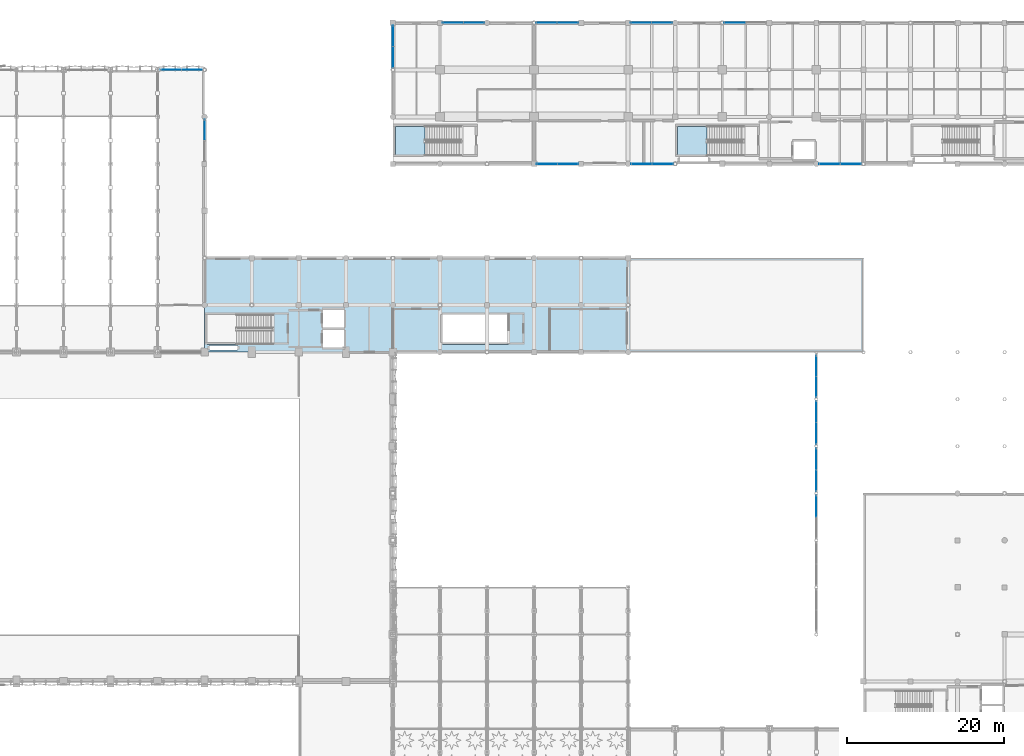
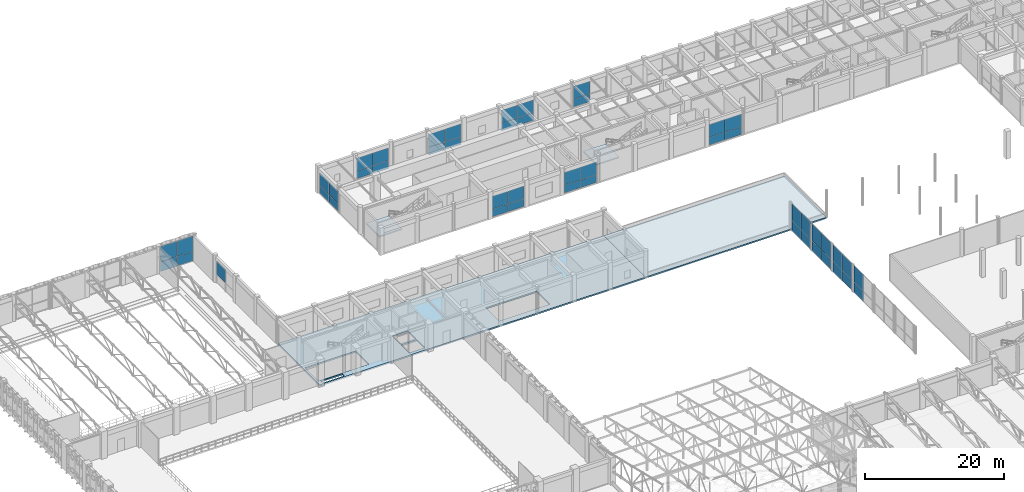
# One storey, part 88 of 123: 49 plates, 4 slabs, 16 elements without a shape of their own.
"""IFC4 building model written with IfcOpenShell, lengths in metres."""

import ifcopenshell
import ifcopenshell.guid

model = None  # the IFC model being written
_history = None  # IfcOwnerHistory: only IFC2X3 demands one
_inside = {}  # id of a spatial element -> (the spatial element, [elements in it])
_under = {}  # id of a project, library or spatial element -> (it, [spatial elements below it])
_declared = {}  # id of a project -> (the project, [libraries it declares])
_typed = {}  # id of a type object -> (the type object, [elements of that type])
_made_of = {}  # id of a material, layer set ... -> (it, [elements and type objects made of it])


def new_model(schema):
    """Start an empty IFC model of exactly this schema.

    Asked for "IFC4X3", IfcOpenShell would pick the latest addendum, in which some entities
    have other attributes; the version numbers below select the first issue.
    IFC2X3 requires an IfcOwnerHistory on every rooted entity: one is made here for all.
    """
    global model, _history
    if schema == "IFC4X3":
        model = ifcopenshell.file(schema_version=(4, 3, 0, 0))
    else:
        model = ifcopenshell.file(schema=schema)
    _inside.clear()
    _under.clear()
    _declared.clear()
    _typed.clear()
    _made_of.clear()
    _history = None
    if model.schema == "IFC2X3":
        org = make("IfcOrganization", Name="unknown")
        user = make(
            "IfcPersonAndOrganization",
            ThePerson=make("IfcPerson", FamilyName="unknown"),
            TheOrganization=org,
        )
        app = make(
            "IfcApplication",
            ApplicationDeveloper=org,
            Version="unknown",
            ApplicationFullName="unknown",
            ApplicationIdentifier="unknown",
        )
        _history = make(
            "IfcOwnerHistory",
            OwningUser=user,
            OwningApplication=app,
            ChangeAction="ADDED",
            CreationDate=0,
        )
    return model


def make(cls, **values):
    """One entity of the class cls with the attributes given. An attribute that is None is left unset."""
    return model.create_entity(
        cls, **{name: value for name, value in values.items() if value is not None}
    )


def rooted(cls, **values):
    """An entity with a GlobalId (a new one), such as an element, a storey or a relation."""
    return make(cls, GlobalId=ifcopenshell.guid.new(), OwnerHistory=_history, **values)


def si_unit(unit_type, name, prefix=None):
    """IfcSIUnit, for example si_unit("LENGTHUNIT", "METRE", prefix="MILLI")."""
    return make("IfcSIUnit", UnitType=unit_type, Prefix=prefix, Name=name)


def assignment(units):
    """IfcUnitAssignment: the units of a project."""
    return None if units is None else make("IfcUnitAssignment", Units=units)


def point(xyz):
    """IfcCartesianPoint."""
    return None if xyz is None else make("IfcCartesianPoint", Coordinates=xyz)


def direction(xyz):
    """IfcDirection."""
    return None if xyz is None else make("IfcDirection", DirectionRatios=xyz)


def frame(location, z_axis=None, x_axis=None):
    """IfcAxis2Placement3D, a coordinate frame: its origin and axes. An axis left out is left unset."""
    return make(
        "IfcAxis2Placement3D",
        Location=point(location),
        Axis=direction(z_axis),
        RefDirection=direction(x_axis),
    )


def frame_2d(location, x_axis=None):
    """IfcAxis2Placement2D, a coordinate frame in the plane: its origin and x axis."""
    return make(
        "IfcAxis2Placement2D", Location=point(location), RefDirection=direction(x_axis)
    )


def origin():
    """The frame at (0, 0, 0) with its axes left unset."""
    return frame((0.0, 0.0, 0.0))


def place(relative_to, where):
    """IfcLocalPlacement: puts the frame where relative to a parent placement (None: the world)."""
    return make(
        "IfcLocalPlacement", PlacementRelTo=relative_to, RelativePlacement=where
    )


def context(
    kind, dimensions, precision=None, world=None, true_north=None, identifier=None
):
    """IfcGeometricRepresentationContext, for example the 3D "Model" context."""
    return make(
        "IfcGeometricRepresentationContext",
        ContextIdentifier=identifier,
        ContextType=kind,
        CoordinateSpaceDimension=dimensions,
        Precision=precision,
        WorldCoordinateSystem=world,
        TrueNorth=true_north,
    )


def subcontext(parent, identifier, kind, view, scale=None):
    """IfcGeometricRepresentationSubContext, for example "Body" below "Model"."""
    return make(
        "IfcGeometricRepresentationSubContext",
        ContextIdentifier=identifier,
        ContextType=kind,
        ParentContext=parent,
        TargetScale=scale,
        TargetView=view,
    )


def project(units=None, contexts=None):
    """IfcProject with its units and contexts."""
    return rooted(
        "IfcProject",
        Name="project",
        RepresentationContexts=contexts,
        UnitsInContext=assignment(units),
    )


def spatial(cls, under=None, at=None, **own):
    """A site, building, storey or space (cls), placed at a placement, below another one or the project."""
    s = rooted(cls, ObjectPlacement=at, **own)
    if under is not None:
        _under.setdefault(under.id(), (under, []))[1].append(s)
    return s


def polyline(points):
    """IfcPolyline through the points."""
    return make("IfcPolyline", Points=[point(p) for p in points])


def profile(cls, at=None, kind="AREA", **sizes):
    """A parametric profile (cls). Its sizes go by their IFC names, for example OverallWidth=200.0."""
    return make(cls, ProfileType=kind, Position=at, **sizes)


def rectangle(**sizes):
    """IfcRectangleProfileDef."""
    return profile("IfcRectangleProfileDef", **sizes)


def outline(outer, holes=None, kind="AREA"):
    """IfcArbitraryClosedProfileDef: a profile drawn as a closed curve; with holes, ...WithVoids."""
    if holes is None:
        return make("IfcArbitraryClosedProfileDef", ProfileType=kind, OuterCurve=outer)
    return make(
        "IfcArbitraryProfileDefWithVoids",
        ProfileType=kind,
        OuterCurve=outer,
        InnerCurves=holes,
    )


def extrude(swept, where, along, depth):
    """IfcExtrudedAreaSolid: the profile swept, set in the frame where, extruded along a direction by depth."""
    return make(
        "IfcExtrudedAreaSolid",
        SweptArea=swept,
        Position=where,
        ExtrudedDirection=direction(along),
        Depth=depth,
    )


def shape(context_of_items, identifier, shape_type, items):
    """IfcShapeRepresentation: the items that make up one representation, for example the "Body"."""
    return make(
        "IfcShapeRepresentation",
        ContextOfItems=context_of_items,
        RepresentationIdentifier=identifier,
        RepresentationType=shape_type,
        Items=items,
    )


def material(Name=None, Category=None):
    """IfcMaterial."""
    return make("IfcMaterial", Name=Name, Category=Category)


def layer(
    of_material, thickness, ventilated=None, Name=None, Category=None, Priority=None
):
    """IfcMaterialLayer: one layer of a wall or slab, of a material (None: an air gap)."""
    return make(
        "IfcMaterialLayer",
        Material=of_material,
        LayerThickness=thickness,
        IsVentilated=ventilated,
        Name=Name,
        Category=Category,
        Priority=Priority,
    )


def layer_set(layers, Name=None):
    """IfcMaterialLayerSet."""
    return make("IfcMaterialLayerSet", MaterialLayers=layers, LayerSetName=Name)


def made_of(thing, what):
    """Note that an element or type object is made of a material, layer set ...; save() writes the relation."""
    if what is not None:
        _made_of.setdefault(what.id(), (what, []))[1].append(thing)
    return thing


def type_object(cls, material=None, **own):
    """A type object (cls), such as IfcWallType, which elements share."""
    return made_of(rooted(cls, **own), material)


def element(
    cls,
    number,
    at=None,
    inside=None,
    cuts=None,
    type_object=None,
    material=None,
    context=None,
    identifier="Body",
    shape_type=None,
    held_by="IfcProductDefinitionShape",
    body=None,
    shapes=None,
    **own,
):
    """One element of the class cls, such as IfcWall. Its Tag is "e" and its number.

    at: its placement. inside: the storey or other place that contains it. cuts: it is an
    opening in that element (IfcRelVoidsElement). A single representation is given by context,
    identifier, shape_type and body (its items); several are given by shapes. held_by: the class
    of the entity that holds the representations. save() writes the other relations.
    """
    e = rooted(cls, Tag="e%d" % number, ObjectPlacement=at, **own)
    if body is not None:
        shapes = [shape(context, identifier, shape_type, body)]
    if shapes is not None:
        e.Representation = make(held_by, Representations=shapes)
    if inside is not None:
        _inside.setdefault(inside.id(), (inside, []))[1].append(e)
    if cuts is not None:
        rooted(
            "IfcRelVoidsElement", RelatingBuildingElement=cuts, RelatedOpeningElement=e
        )
    if type_object is not None:
        _typed.setdefault(type_object.id(), (type_object, []))[1].append(e)
    return made_of(e, material)


def aggregate(whole, parts):
    """IfcRelAggregates: a whole, such as a stair, and the parts it consists of."""
    return rooted("IfcRelAggregates", RelatingObject=whole, RelatedObjects=parts)


def save(model, path):
    """Write the relations noted so far, then the file.

    IfcRelAggregates (storeys below a building ...), IfcRelContainedInSpatialStructure (elements
    in a storey), IfcRelDefinesByType, IfcRelAssociatesMaterial and IfcRelDeclares: one each for
    every whole, place, type object, material and project.
    """
    for whole, parts in _under.values():
        aggregate(whole, parts)
    for where, things in _inside.values():
        rooted(
            "IfcRelContainedInSpatialStructure",
            RelatedElements=things,
            RelatingStructure=where,
        )
    for kind, things in _typed.values():
        rooted("IfcRelDefinesByType", RelatedObjects=things, RelatingType=kind)
    for what, things in _made_of.values():
        rooted("IfcRelAssociatesMaterial", RelatedObjects=things, RelatingMaterial=what)
    for by, libraries in _declared.values():
        rooted("IfcRelDeclares", RelatingContext=by, RelatedDefinitions=libraries)
    model.write(path)


model = new_model("IFC4")

# Units and contexts
model_context = context("Model", 3, precision=1e-05, world=origin(), true_north=direction((0.0, 1.0)))
body_context = subcontext(model_context, "Body", "Model", "MODEL_VIEW")
ifc_project = project(units=[si_unit("LENGTHUNIT", "METRE"), si_unit("AREAUNIT", "SQUARE_METRE"), si_unit("VOLUMEUNIT", "CUBIC_METRE"), si_unit("PLANEANGLEUNIT", "RADIAN"), si_unit("MASSUNIT", "GRAM", prefix="KILO"), si_unit("THERMODYNAMICTEMPERATUREUNIT", "KELVIN"), si_unit("POWERUNIT", "WATT")], contexts=[model_context])

# Site, building, storey
site_placement = place(None, origin())
site = spatial("IfcSite", under=ifc_project, at=site_placement, CompositionType="ELEMENT")
building_placement = place(site_placement, origin())
building = spatial("IfcBuilding", under=site, at=building_placement, Name="Phaisarnlok Congress Hotel", CompositionType="ELEMENT")
storey_placement = place(building_placement, frame((0.0, 0.0, 15.0)))
storey = spatial("IfcBuildingStorey", under=building, at=storey_placement, Name="L03", CompositionType="ELEMENT", Elevation=15.0)

# Curtain wall, plate
ifc_material_1 = material(Name="Thermally Broken Unitised Aluminium & Low-E Glazing", Category="aluminium")
curtain_wall_type_1 = type_object("IfcCurtainWallType", Name="CW-UNIT-27", PredefinedType="NOTDEFINED", material=ifc_material_1)
curtain_wall_1_placement = place(storey_placement, origin())
curtain_wall_1 = element("IfcCurtainWall", 1, at=curtain_wall_1_placement, inside=storey, type_object=curtain_wall_type_1, Name="Unitised curtain wall CW-27 (L03)", PredefinedType="NOTDEFINED")
ifc_material_2 = material(Name="Double Low-E Insulated Glazing", Category="glass")
ifc_layer_1 = layer(ifc_material_2, 0.028076171875, Name="Double Low-E Insulated Glazing")
ifc_layer_set_1 = layer_set([ifc_layer_1], Name="Double Low-E Insulated Glazing")
plate_type_1 = type_object("IfcPlateType", Name="CWP-GLZ-28", PredefinedType="CURTAIN_PANEL", material=ifc_layer_set_1)
plate_1_placement = place(storey_placement, frame((42.0, 111.00244140625, 1.461181640625), z_axis=(0.0, 0.0, 1.0), x_axis=(0.0, 1.0, 0.0)))
plate_1 = element("IfcPlate", 2, at=plate_1_placement, type_object=plate_type_1, Name="Glazed curtain panel CWP-01", PredefinedType="CURTAIN_PANEL", context=body_context, shape_type="SweptSolid", body=[
    extrude(rectangle(XDim=2.62255859375, YDim=0.028076171875, at=frame_2d((1.311279296875, 0.0))), origin(), (0.0, 0.0, 1.0), 2.34375),
])
aggregate(curtain_wall_1, [plate_1])

# Curtain wall, plates
curtain_wall_type_2 = type_object("IfcCurtainWallType", Name="CW-UNIT-28", PredefinedType="NOTDEFINED", material=ifc_material_1)
curtain_wall_2_placement = place(storey_placement, origin())
curtain_wall_2 = element("IfcCurtainWall", 3, at=curtain_wall_2_placement, inside=storey, type_object=curtain_wall_type_2, Name="Unitised curtain wall CW-28 (L03)", PredefinedType="NOTDEFINED")
plate_2_placement = place(storey_placement, frame((41.720947265625, 120.0, 0.0400390625), z_axis=(0.0, 0.0, 1.0), x_axis=(-1.0, 0.0, 0.0)))
plate_2 = element("IfcPlate", 4, at=plate_2_placement, type_object=plate_type_1, Name="Glazed curtain panel CWP-01", PredefinedType="CURTAIN_PANEL", context=body_context, shape_type="SweptSolid", body=[
    extrude(rectangle(XDim=2.657958984375, YDim=0.028076171875, at=frame_2d((1.3291015625, 0.0))), origin(), (0.0, 0.0, 1.0), 1.65087890625),
])
plate_3_placement = place(storey_placement, frame((41.720947265625, 120.0, 1.69091796875), z_axis=(0.0, 0.0, 1.0), x_axis=(-1.0, 0.0, 0.0)))
plate_3 = element("IfcPlate", 5, at=plate_3_placement, type_object=plate_type_1, Name="Glazed curtain panel CWP-01", PredefinedType="CURTAIN_PANEL", context=body_context, shape_type="SweptSolid", body=[
    extrude(rectangle(XDim=2.657958984375, YDim=0.028076171875, at=frame_2d((1.3291015625, 0.0))), origin(), (0.0, 0.0, 1.0), 2.718994140625),
])
plate_4_placement = place(storey_placement, frame((39.032958984375, 120.0, 0.0400390625), z_axis=(0.0, 0.0, 1.0), x_axis=(-1.0, 0.0, 0.0)))
plate_4 = element("IfcPlate", 6, at=plate_4_placement, type_object=plate_type_1, Name="Glazed curtain panel CWP-01", PredefinedType="CURTAIN_PANEL", context=body_context, shape_type="SweptSolid", body=[
    extrude(rectangle(XDim=2.657958984375, YDim=0.028076171875, at=frame_2d((1.3291015625, 0.0))), origin(), (0.0, 0.0, 1.0), 1.65087890625),
])
plate_5_placement = place(storey_placement, frame((39.032958984375, 120.0, 1.69091796875), z_axis=(0.0, 0.0, 1.0), x_axis=(-1.0, 0.0, 0.0)))
plate_5 = element("IfcPlate", 7, at=plate_5_placement, type_object=plate_type_1, Name="Glazed curtain panel CWP-01", PredefinedType="CURTAIN_PANEL", context=body_context, shape_type="SweptSolid", body=[
    extrude(rectangle(XDim=2.657958984375, YDim=0.028076171875, at=frame_2d((1.3291015625, 0.0))), origin(), (0.0, 0.0, 1.0), 2.718994140625),
])
aggregate(curtain_wall_2, [plate_2, plate_3, plate_4, plate_5])

curtain_wall_type_3 = type_object("IfcCurtainWallType", Name="CW-UNIT-30", PredefinedType="NOTDEFINED", material=ifc_material_1)
curtain_wall_3_placement = place(storey_placement, origin())
curtain_wall_3 = element("IfcCurtainWall", 8, at=curtain_wall_3_placement, inside=storey, type_object=curtain_wall_type_3, Name="Unitised curtain wall CW-30 (L03)", PredefinedType="NOTDEFINED")
plate_6_placement = place(storey_placement, frame((84.375, 108.0, 0.0400390625), z_axis=(0.0, 0.0, 1.0), x_axis=(1.0, 0.0, 0.0)))
plate_6 = element("IfcPlate", 9, at=plate_6_placement, type_object=plate_type_1, Name="Glazed curtain panel CWP-01", PredefinedType="CURTAIN_PANEL", context=body_context, shape_type="SweptSolid", body=[
    extrude(rectangle(XDim=2.62255859375, YDim=0.028076171875, at=frame_2d((1.311279296875, 0.0))), origin(), (0.0, 0.0, 1.0), 1.365966796875),
])
plate_7_placement = place(storey_placement, frame((84.375, 108.0, 1.406005859375), z_axis=(0.0, 0.0, 1.0), x_axis=(1.0, 0.0, 0.0)))
plate_7 = element("IfcPlate", 10, at=plate_7_placement, type_object=plate_type_1, Name="Glazed curtain panel CWP-01", PredefinedType="CURTAIN_PANEL", context=body_context, shape_type="SweptSolid", body=[
    extrude(rectangle(XDim=2.62255859375, YDim=0.028076171875, at=frame_2d((1.311279296875, 0.0))), origin(), (0.0, 0.0, 1.0), 2.25390625),
])
plate_8_placement = place(storey_placement, frame((87.027587890625, 108.0, 0.0400390625), z_axis=(0.0, 0.0, 1.0), x_axis=(1.0, 0.0, 0.0)))
plate_8 = element("IfcPlate", 11, at=plate_8_placement, type_object=plate_type_1, Name="Glazed curtain panel CWP-01", PredefinedType="CURTAIN_PANEL", context=body_context, shape_type="SweptSolid", body=[
    extrude(rectangle(XDim=2.622314453125, YDim=0.028076171875, at=frame_2d((1.31103515625, 0.0))), origin(), (0.0, 0.0, 1.0), 1.365966796875),
])
plate_9_placement = place(storey_placement, frame((87.027587890625, 108.0, 1.406005859375), z_axis=(0.0, 0.0, 1.0), x_axis=(1.0, 0.0, 0.0)))
plate_9 = element("IfcPlate", 12, at=plate_9_placement, type_object=plate_type_1, Name="Glazed curtain panel CWP-01", PredefinedType="CURTAIN_PANEL", context=body_context, shape_type="SweptSolid", body=[
    extrude(rectangle(XDim=2.622314453125, YDim=0.028076171875, at=frame_2d((1.31103515625, 0.0))), origin(), (0.0, 0.0, 1.0), 2.25390625),
])
aggregate(curtain_wall_3, [plate_6, plate_7, plate_8, plate_9])

curtain_wall_type_4 = type_object("IfcCurtainWallType", Name="CW-UNIT-31", PredefinedType="NOTDEFINED", material=ifc_material_1)
curtain_wall_4_placement = place(storey_placement, origin())
curtain_wall_4 = element("IfcCurtainWall", 13, at=curtain_wall_4_placement, inside=storey, type_object=curtain_wall_type_4, Name="Unitised curtain wall CW-31 (L03)", PredefinedType="NOTDEFINED")
plate_10_placement = place(storey_placement, frame((96.375, 108.0, 0.0400390625), z_axis=(0.0, 0.0, 1.0), x_axis=(1.0, 0.0, 0.0)))
plate_10 = element("IfcPlate", 14, at=plate_10_placement, type_object=plate_type_1, Name="Glazed curtain panel CWP-01", PredefinedType="CURTAIN_PANEL", context=body_context, shape_type="SweptSolid", body=[
    extrude(rectangle(XDim=2.657958984375, YDim=0.028076171875, at=frame_2d((1.3291015625, 0.0))), origin(), (0.0, 0.0, 1.0), 1.365966796875),
])
plate_11_placement = place(storey_placement, frame((96.375, 108.0, 1.406005859375), z_axis=(0.0, 0.0, 1.0), x_axis=(1.0, 0.0, 0.0)))
plate_11 = element("IfcPlate", 15, at=plate_11_placement, type_object=plate_type_1, Name="Glazed curtain panel CWP-01", PredefinedType="CURTAIN_PANEL", context=body_context, shape_type="SweptSolid", body=[
    extrude(rectangle(XDim=2.657958984375, YDim=0.028076171875, at=frame_2d((1.3291015625, 0.0))), origin(), (0.0, 0.0, 1.0), 2.25390625),
])
plate_12_placement = place(storey_placement, frame((99.06298828125, 108.0, 0.0400390625), z_axis=(0.0, 0.0, 1.0), x_axis=(1.0, 0.0, 0.0)))
plate_12 = element("IfcPlate", 16, at=plate_12_placement, type_object=plate_type_1, Name="Glazed curtain panel CWP-01", PredefinedType="CURTAIN_PANEL", context=body_context, shape_type="SweptSolid", body=[
    extrude(rectangle(XDim=2.657958984375, YDim=0.028076171875, at=frame_2d((1.3291015625, 0.0))), origin(), (0.0, 0.0, 1.0), 1.365966796875),
])
plate_13_placement = place(storey_placement, frame((99.06298828125, 108.0, 1.406005859375), z_axis=(0.0, 0.0, 1.0), x_axis=(1.0, 0.0, 0.0)))
plate_13 = element("IfcPlate", 17, at=plate_13_placement, type_object=plate_type_1, Name="Glazed curtain panel CWP-01", PredefinedType="CURTAIN_PANEL", context=body_context, shape_type="SweptSolid", body=[
    extrude(rectangle(XDim=2.657958984375, YDim=0.028076171875, at=frame_2d((1.3291015625, 0.0))), origin(), (0.0, 0.0, 1.0), 2.25390625),
])
aggregate(curtain_wall_4, [plate_10, plate_11, plate_12, plate_13])

curtain_wall_5_placement = place(storey_placement, origin())
curtain_wall_5 = element("IfcCurtainWall", 18, at=curtain_wall_5_placement, inside=storey, type_object=curtain_wall_type_4, Name="Unitised curtain wall CW-31 (L03)", PredefinedType="NOTDEFINED")
plate_14_placement = place(storey_placement, frame((120.375, 108.0, 0.0400390625), z_axis=(0.0, 0.0, 1.0), x_axis=(1.0, 0.0, 0.0)))
plate_14 = element("IfcPlate", 19, at=plate_14_placement, type_object=plate_type_1, Name="Glazed curtain panel CWP-01", PredefinedType="CURTAIN_PANEL", context=body_context, shape_type="SweptSolid", body=[
    extrude(rectangle(XDim=2.657958984375, YDim=0.028076171875, at=frame_2d((1.3291015625, 0.0))), origin(), (0.0, 0.0, 1.0), 1.365966796875),
])
plate_15_placement = place(storey_placement, frame((120.375, 108.0, 1.406005859375), z_axis=(0.0, 0.0, 1.0), x_axis=(1.0, 0.0, 0.0)))
plate_15 = element("IfcPlate", 20, at=plate_15_placement, type_object=plate_type_1, Name="Glazed curtain panel CWP-01", PredefinedType="CURTAIN_PANEL", context=body_context, shape_type="SweptSolid", body=[
    extrude(rectangle(XDim=2.657958984375, YDim=0.028076171875, at=frame_2d((1.3291015625, 0.0))), origin(), (0.0, 0.0, 1.0), 2.25390625),
])
plate_16_placement = place(storey_placement, frame((123.06298828125, 108.0, 0.0400390625), z_axis=(0.0, 0.0, 1.0), x_axis=(1.0, 0.0, 0.0)))
plate_16 = element("IfcPlate", 21, at=plate_16_placement, type_object=plate_type_1, Name="Glazed curtain panel CWP-01", PredefinedType="CURTAIN_PANEL", context=body_context, shape_type="SweptSolid", body=[
    extrude(rectangle(XDim=2.657958984375, YDim=0.028076171875, at=frame_2d((1.3291015625, 0.0))), origin(), (0.0, 0.0, 1.0), 1.365966796875),
])
plate_17_placement = place(storey_placement, frame((123.06298828125, 108.0, 1.406005859375), z_axis=(0.0, 0.0, 1.0), x_axis=(1.0, 0.0, 0.0)))
plate_17 = element("IfcPlate", 22, at=plate_17_placement, type_object=plate_type_1, Name="Glazed curtain panel CWP-01", PredefinedType="CURTAIN_PANEL", context=body_context, shape_type="SweptSolid", body=[
    extrude(rectangle(XDim=2.657958984375, YDim=0.028076171875, at=frame_2d((1.3291015625, 0.0))), origin(), (0.0, 0.0, 1.0), 2.25390625),
])
aggregate(curtain_wall_5, [plate_14, plate_15, plate_16, plate_17])

curtain_wall_6_placement = place(storey_placement, origin())
curtain_wall_6 = element("IfcCurtainWall", 23, at=curtain_wall_6_placement, inside=storey, type_object=curtain_wall_type_4, Name="Unitised curtain wall CW-31 (L03)", PredefinedType="NOTDEFINED")
plate_18_placement = place(storey_placement, frame((110.93701171875, 126.0, 0.0400390625), z_axis=(0.0, 0.0, 1.0), x_axis=(-1.0, 0.0, 0.0)))
plate_18 = element("IfcPlate", 24, at=plate_18_placement, type_object=plate_type_1, Name="Glazed curtain panel CWP-01", PredefinedType="CURTAIN_PANEL", context=body_context, shape_type="SweptSolid", body=[
    extrude(rectangle(XDim=2.657958984375, YDim=0.028076171875, at=frame_2d((1.3291015625, 0.0))), origin(), (0.0, 0.0, 1.0), 1.365966796875),
])
plate_19_placement = place(storey_placement, frame((110.93701171875, 126.0, 1.406005859375), z_axis=(0.0, 0.0, 1.0), x_axis=(-1.0, 0.0, 0.0)))
plate_19 = element("IfcPlate", 25, at=plate_19_placement, type_object=plate_type_1, Name="Glazed curtain panel CWP-01", PredefinedType="CURTAIN_PANEL", context=body_context, shape_type="SweptSolid", body=[
    extrude(rectangle(XDim=2.657958984375, YDim=0.028076171875, at=frame_2d((1.3291015625, 0.0))), origin(), (0.0, 0.0, 1.0), 2.25390625),
])
aggregate(curtain_wall_6, [plate_18, plate_19])

curtain_wall_7_placement = place(storey_placement, origin())
curtain_wall_7 = element("IfcCurtainWall", 26, at=curtain_wall_7_placement, inside=storey, type_object=curtain_wall_type_3, Name="Unitised curtain wall CW-30 (L03)", PredefinedType="NOTDEFINED")
plate_20_placement = place(storey_placement, frame((101.625, 126.0, 0.0400390625), z_axis=(0.0, 0.0, 1.0), x_axis=(-1.0, 0.0, 0.0)))
plate_20 = element("IfcPlate", 27, at=plate_20_placement, type_object=plate_type_1, Name="Glazed curtain panel CWP-01", PredefinedType="CURTAIN_PANEL", context=body_context, shape_type="SweptSolid", body=[
    extrude(rectangle(XDim=2.62255859375, YDim=0.028076171875, at=frame_2d((1.311279296875, 0.0))), origin(), (0.0, 0.0, 1.0), 1.365966796875),
])
plate_21_placement = place(storey_placement, frame((101.625, 126.0, 1.406005859375), z_axis=(0.0, 0.0, 1.0), x_axis=(-1.0, 0.0, 0.0)))
plate_21 = element("IfcPlate", 28, at=plate_21_placement, type_object=plate_type_1, Name="Glazed curtain panel CWP-01", PredefinedType="CURTAIN_PANEL", context=body_context, shape_type="SweptSolid", body=[
    extrude(rectangle(XDim=2.62255859375, YDim=0.028076171875, at=frame_2d((1.311279296875, 0.0))), origin(), (0.0, 0.0, 1.0), 2.25390625),
])
plate_22_placement = place(storey_placement, frame((98.972412109375, 126.0, 0.0400390625), z_axis=(0.0, 0.0, 1.0), x_axis=(-1.0, 0.0, 0.0)))
plate_22 = element("IfcPlate", 29, at=plate_22_placement, type_object=plate_type_1, Name="Glazed curtain panel CWP-01", PredefinedType="CURTAIN_PANEL", context=body_context, shape_type="SweptSolid", body=[
    extrude(rectangle(XDim=2.622314453125, YDim=0.028076171875, at=frame_2d((1.31103515625, 0.0))), origin(), (0.0, 0.0, 1.0), 1.365966796875),
])
plate_23_placement = place(storey_placement, frame((98.972412109375, 126.0, 1.406005859375), z_axis=(0.0, 0.0, 1.0), x_axis=(-1.0, 0.0, 0.0)))
plate_23 = element("IfcPlate", 30, at=plate_23_placement, type_object=plate_type_1, Name="Glazed curtain panel CWP-01", PredefinedType="CURTAIN_PANEL", context=body_context, shape_type="SweptSolid", body=[
    extrude(rectangle(XDim=2.622314453125, YDim=0.028076171875, at=frame_2d((1.31103515625, 0.0))), origin(), (0.0, 0.0, 1.0), 2.25390625),
])
aggregate(curtain_wall_7, [plate_20, plate_21, plate_22, plate_23])

curtain_wall_8_placement = place(storey_placement, origin())
curtain_wall_8 = element("IfcCurtainWall", 31, at=curtain_wall_8_placement, inside=storey, type_object=curtain_wall_type_4, Name="Unitised curtain wall CW-31 (L03)", PredefinedType="NOTDEFINED")
plate_24_placement = place(storey_placement, frame((89.625, 126.0, 0.0400390625), z_axis=(0.0, 0.0, 1.0), x_axis=(-1.0, 0.0, 0.0)))
plate_24 = element("IfcPlate", 32, at=plate_24_placement, type_object=plate_type_1, Name="Glazed curtain panel CWP-01", PredefinedType="CURTAIN_PANEL", context=body_context, shape_type="SweptSolid", body=[
    extrude(rectangle(XDim=2.657958984375, YDim=0.028076171875, at=frame_2d((1.3291015625, 0.0))), origin(), (0.0, 0.0, 1.0), 1.365966796875),
])
plate_25_placement = place(storey_placement, frame((89.625, 126.0, 1.406005859375), z_axis=(0.0, 0.0, 1.0), x_axis=(-1.0, 0.0, 0.0)))
plate_25 = element("IfcPlate", 33, at=plate_25_placement, type_object=plate_type_1, Name="Glazed curtain panel CWP-01", PredefinedType="CURTAIN_PANEL", context=body_context, shape_type="SweptSolid", body=[
    extrude(rectangle(XDim=2.657958984375, YDim=0.028076171875, at=frame_2d((1.3291015625, 0.0))), origin(), (0.0, 0.0, 1.0), 2.25390625),
])
plate_26_placement = place(storey_placement, frame((86.93701171875, 126.0, 0.0400390625), z_axis=(0.0, 0.0, 1.0), x_axis=(-1.0, 0.0, 0.0)))
plate_26 = element("IfcPlate", 34, at=plate_26_placement, type_object=plate_type_1, Name="Glazed curtain panel CWP-01", PredefinedType="CURTAIN_PANEL", context=body_context, shape_type="SweptSolid", body=[
    extrude(rectangle(XDim=2.657958984375, YDim=0.028076171875, at=frame_2d((1.3291015625, 0.0))), origin(), (0.0, 0.0, 1.0), 1.365966796875),
])
plate_27_placement = place(storey_placement, frame((86.93701171875, 126.0, 1.406005859375), z_axis=(0.0, 0.0, 1.0), x_axis=(-1.0, 0.0, 0.0)))
plate_27 = element("IfcPlate", 35, at=plate_27_placement, type_object=plate_type_1, Name="Glazed curtain panel CWP-01", PredefinedType="CURTAIN_PANEL", context=body_context, shape_type="SweptSolid", body=[
    extrude(rectangle(XDim=2.657958984375, YDim=0.028076171875, at=frame_2d((1.3291015625, 0.0))), origin(), (0.0, 0.0, 1.0), 2.25390625),
])
aggregate(curtain_wall_8, [plate_24, plate_25, plate_26, plate_27])

curtain_wall_9_placement = place(storey_placement, origin())
curtain_wall_9 = element("IfcCurtainWall", 36, at=curtain_wall_9_placement, inside=storey, type_object=curtain_wall_type_3, Name="Unitised curtain wall CW-30 (L03)", PredefinedType="NOTDEFINED")
plate_28_placement = place(storey_placement, frame((77.625, 126.0, 0.0400390625), z_axis=(0.0, 0.0, 1.0), x_axis=(-1.0, 0.0, 0.0)))
plate_28 = element("IfcPlate", 37, at=plate_28_placement, type_object=plate_type_1, Name="Glazed curtain panel CWP-01", PredefinedType="CURTAIN_PANEL", context=body_context, shape_type="SweptSolid", body=[
    extrude(rectangle(XDim=2.62255859375, YDim=0.028076171875, at=frame_2d((1.311279296875, 0.0))), origin(), (0.0, 0.0, 1.0), 1.365966796875),
])
plate_29_placement = place(storey_placement, frame((77.625, 126.0, 1.406005859375), z_axis=(0.0, 0.0, 1.0), x_axis=(-1.0, 0.0, 0.0)))
plate_29 = element("IfcPlate", 38, at=plate_29_placement, type_object=plate_type_1, Name="Glazed curtain panel CWP-01", PredefinedType="CURTAIN_PANEL", context=body_context, shape_type="SweptSolid", body=[
    extrude(rectangle(XDim=2.62255859375, YDim=0.028076171875, at=frame_2d((1.311279296875, 0.0))), origin(), (0.0, 0.0, 1.0), 2.25390625),
])
plate_30_placement = place(storey_placement, frame((74.972412109375, 126.0, 0.0400390625), z_axis=(0.0, 0.0, 1.0), x_axis=(-1.0, 0.0, 0.0)))
plate_30 = element("IfcPlate", 39, at=plate_30_placement, type_object=plate_type_1, Name="Glazed curtain panel CWP-01", PredefinedType="CURTAIN_PANEL", context=body_context, shape_type="SweptSolid", body=[
    extrude(rectangle(XDim=2.622314453125, YDim=0.028076171875, at=frame_2d((1.31103515625, 0.0))), origin(), (0.0, 0.0, 1.0), 1.365966796875),
])
plate_31_placement = place(storey_placement, frame((74.972412109375, 126.0, 1.406005859375), z_axis=(0.0, 0.0, 1.0), x_axis=(-1.0, 0.0, 0.0)))
plate_31 = element("IfcPlate", 40, at=plate_31_placement, type_object=plate_type_1, Name="Glazed curtain panel CWP-01", PredefinedType="CURTAIN_PANEL", context=body_context, shape_type="SweptSolid", body=[
    extrude(rectangle(XDim=2.622314453125, YDim=0.028076171875, at=frame_2d((1.31103515625, 0.0))), origin(), (0.0, 0.0, 1.0), 2.25390625),
])
aggregate(curtain_wall_9, [plate_28, plate_29, plate_30, plate_31])

curtain_wall_type_5 = type_object("IfcCurtainWallType", Name="CW-UNIT-32", PredefinedType="NOTDEFINED", material=ifc_material_1)
curtain_wall_10_placement = place(storey_placement, origin())
curtain_wall_10 = element("IfcCurtainWall", 41, at=curtain_wall_10_placement, inside=storey, type_object=curtain_wall_type_5, Name="Unitised curtain wall CW-32 (L03)", PredefinedType="NOTDEFINED")
plate_32_placement = place(storey_placement, frame((66.0, 125.625, 0.0400390625), z_axis=(0.0, 0.0, 1.0), x_axis=(0.0, -1.0, 0.0)))
plate_32 = element("IfcPlate", 42, at=plate_32_placement, type_object=plate_type_1, Name="Glazed curtain panel CWP-01", PredefinedType="CURTAIN_PANEL", context=body_context, shape_type="SweptSolid", body=[
    extrude(rectangle(XDim=2.657958984375, YDim=0.028076171875, at=frame_2d((1.3291015625, 0.0))), origin(), (0.0, 0.0, 1.0), 1.346923828125),
])
plate_33_placement = place(storey_placement, frame((66.0, 125.625, 1.386962890625), z_axis=(0.0, 0.0, 1.0), x_axis=(0.0, -1.0, 0.0)))
plate_33 = element("IfcPlate", 43, at=plate_33_placement, type_object=plate_type_1, Name="Glazed curtain panel CWP-01", PredefinedType="CURTAIN_PANEL", context=body_context, shape_type="SweptSolid", body=[
    extrude(rectangle(XDim=2.657958984375, YDim=0.028076171875, at=frame_2d((1.3291015625, 0.0))), origin(), (0.0, 0.0, 1.0), 2.22314453125),
])
plate_34_placement = place(storey_placement, frame((66.0, 122.93701171875, 0.0400390625), z_axis=(0.0, 0.0, 1.0), x_axis=(0.0, -1.0, 0.0)))
plate_34 = element("IfcPlate", 44, at=plate_34_placement, type_object=plate_type_1, Name="Glazed curtain panel CWP-01", PredefinedType="CURTAIN_PANEL", context=body_context, shape_type="SweptSolid", body=[
    extrude(rectangle(XDim=2.657958984375, YDim=0.028076171875, at=frame_2d((1.3291015625, 0.0))), origin(), (0.0, 0.0, 1.0), 1.346923828125),
])
plate_35_placement = place(storey_placement, frame((66.0, 122.93701171875, 1.386962890625), z_axis=(0.0, 0.0, 1.0), x_axis=(0.0, -1.0, 0.0)))
plate_35 = element("IfcPlate", 45, at=plate_35_placement, type_object=plate_type_1, Name="Glazed curtain panel CWP-01", PredefinedType="CURTAIN_PANEL", context=body_context, shape_type="SweptSolid", body=[
    extrude(rectangle(XDim=2.657958984375, YDim=0.028076171875, at=frame_2d((1.3291015625, 0.0))), origin(), (0.0, 0.0, 1.0), 2.22314453125),
])
aggregate(curtain_wall_10, [plate_32, plate_33, plate_34, plate_35])

curtain_wall_type_6 = type_object("IfcCurtainWallType", Name="CW-UNIT-47", PredefinedType="NOTDEFINED", material=ifc_material_1)
curtain_wall_11_placement = place(storey_placement, origin())
curtain_wall_11 = element("IfcCurtainWall", 46, at=curtain_wall_11_placement, inside=storey, type_object=curtain_wall_type_6, Name="Unitised curtain wall CW-47 (L03)", PredefinedType="NOTDEFINED")
ifc_material_3 = material(Name="Triple Acoustic Solar-Control Glazing", Category="glass")
ifc_layer_2 = layer(ifc_material_3, 0.035888671875, Name="Triple Acoustic Solar-Control Glazing")
ifc_layer_set_2 = layer_set([ifc_layer_2], Name="Triple Acoustic Solar-Control Glazing")
plate_type_2 = type_object("IfcPlateType", Name="CWP-GLZ-36", PredefinedType="CURTAIN_PANEL", material=ifc_layer_set_2)
plate_36_placement = place(storey_placement, frame((120.0, 65.739990234375, 0.030029296875), z_axis=(0.0, 0.0, 1.0), x_axis=(0.0, -1.0, 0.0)))
plate_36 = element("IfcPlate", 47, at=plate_36_placement, type_object=plate_type_2, Name="Glazed curtain panel CWP-02", PredefinedType="CURTAIN_PANEL", context=body_context, shape_type="SweptSolid", body=[
    extrude(rectangle(XDim=2.72509765625, YDim=0.028076171875, at=frame_2d((1.362548828125, 0.0))), origin(), (0.0, 0.0, 1.0), 1.79150390625),
])
plate_37_placement = place(storey_placement, frame((120.0, 65.739990234375, 1.821533203125), z_axis=(0.0, 0.0, 1.0), x_axis=(0.0, -1.0, 0.0)))
plate_37 = element("IfcPlate", 48, at=plate_37_placement, type_object=plate_type_2, Name="Glazed curtain panel CWP-02", PredefinedType="CURTAIN_PANEL", context=body_context, shape_type="SweptSolid", body=[
    extrude(rectangle(XDim=2.72509765625, YDim=0.028076171875, at=frame_2d((1.362548828125, 0.0))), origin(), (0.0, 0.0, 1.0), 2.948486328125),
])
aggregate(curtain_wall_11, [plate_36, plate_37])

curtain_wall_12_placement = place(storey_placement, origin())
curtain_wall_12 = element("IfcCurtainWall", 49, at=curtain_wall_12_placement, inside=storey, type_object=curtain_wall_type_6, Name="Unitised curtain wall CW-47 (L03)", PredefinedType="NOTDEFINED")
plate_38_placement = place(storey_placement, frame((120.0, 71.739990234375, 0.030029296875), z_axis=(0.0, 0.0, 1.0), x_axis=(0.0, -1.0, 0.0)))
plate_38 = element("IfcPlate", 50, at=plate_38_placement, type_object=plate_type_2, Name="Glazed curtain panel CWP-02", PredefinedType="CURTAIN_PANEL", context=body_context, shape_type="SweptSolid", body=[
    extrude(rectangle(XDim=2.72509765625, YDim=0.028076171875, at=frame_2d((1.362548828125, 0.0))), origin(), (0.0, 0.0, 1.0), 1.79150390625),
])
plate_39_placement = place(storey_placement, frame((120.0, 71.739990234375, 1.821533203125), z_axis=(0.0, 0.0, 1.0), x_axis=(0.0, -1.0, 0.0)))
plate_39 = element("IfcPlate", 51, at=plate_39_placement, type_object=plate_type_2, Name="Glazed curtain panel CWP-02", PredefinedType="CURTAIN_PANEL", context=body_context, shape_type="SweptSolid", body=[
    extrude(rectangle(XDim=2.72509765625, YDim=0.028076171875, at=frame_2d((1.362548828125, 0.0))), origin(), (0.0, 0.0, 1.0), 2.948486328125),
])
plate_40_placement = place(storey_placement, frame((120.0, 68.985107421875, 0.030029296875), z_axis=(0.0, 0.0, 1.0), x_axis=(0.0, -1.0, 0.0)))
plate_40 = element("IfcPlate", 52, at=plate_40_placement, type_object=plate_type_2, Name="Glazed curtain panel CWP-02", PredefinedType="CURTAIN_PANEL", context=body_context, shape_type="SweptSolid", body=[
    extrude(rectangle(XDim=2.72509765625, YDim=0.028076171875, at=frame_2d((1.362548828125, 0.0))), origin(), (0.0, 0.0, 1.0), 1.79150390625),
])
plate_41_placement = place(storey_placement, frame((120.0, 68.985107421875, 1.821533203125), z_axis=(0.0, 0.0, 1.0), x_axis=(0.0, -1.0, 0.0)))
plate_41 = element("IfcPlate", 53, at=plate_41_placement, type_object=plate_type_2, Name="Glazed curtain panel CWP-02", PredefinedType="CURTAIN_PANEL", context=body_context, shape_type="SweptSolid", body=[
    extrude(rectangle(XDim=2.72509765625, YDim=0.028076171875, at=frame_2d((1.362548828125, 0.0))), origin(), (0.0, 0.0, 1.0), 2.948486328125),
])
aggregate(curtain_wall_12, [plate_38, plate_39, plate_40, plate_41])

curtain_wall_13_placement = place(storey_placement, origin())
curtain_wall_13 = element("IfcCurtainWall", 54, at=curtain_wall_13_placement, inside=storey, type_object=curtain_wall_type_6, Name="Unitised curtain wall CW-47 (L03)", PredefinedType="NOTDEFINED")
plate_42_placement = place(storey_placement, frame((120.0, 77.739990234375, 0.030029296875), z_axis=(0.0, 0.0, 1.0), x_axis=(0.0, -1.0, 0.0)))
plate_42 = element("IfcPlate", 55, at=plate_42_placement, type_object=plate_type_2, Name="Glazed curtain panel CWP-02", PredefinedType="CURTAIN_PANEL", context=body_context, shape_type="SweptSolid", body=[
    extrude(rectangle(XDim=2.72509765625, YDim=0.028076171875, at=frame_2d((1.362548828125, 0.0))), origin(), (0.0, 0.0, 1.0), 1.79150390625),
])
plate_43_placement = place(storey_placement, frame((120.0, 77.739990234375, 1.821533203125), z_axis=(0.0, 0.0, 1.0), x_axis=(0.0, -1.0, 0.0)))
plate_43 = element("IfcPlate", 56, at=plate_43_placement, type_object=plate_type_2, Name="Glazed curtain panel CWP-02", PredefinedType="CURTAIN_PANEL", context=body_context, shape_type="SweptSolid", body=[
    extrude(rectangle(XDim=2.72509765625, YDim=0.028076171875, at=frame_2d((1.362548828125, 0.0))), origin(), (0.0, 0.0, 1.0), 2.948486328125),
])
plate_44_placement = place(storey_placement, frame((120.0, 74.985107421875, 0.030029296875), z_axis=(0.0, 0.0, 1.0), x_axis=(0.0, -1.0, 0.0)))
plate_44 = element("IfcPlate", 57, at=plate_44_placement, type_object=plate_type_2, Name="Glazed curtain panel CWP-02", PredefinedType="CURTAIN_PANEL", context=body_context, shape_type="SweptSolid", body=[
    extrude(rectangle(XDim=2.72509765625, YDim=0.028076171875, at=frame_2d((1.362548828125, 0.0))), origin(), (0.0, 0.0, 1.0), 1.79150390625),
])
plate_45_placement = place(storey_placement, frame((120.0, 74.985107421875, 1.821533203125), z_axis=(0.0, 0.0, 1.0), x_axis=(0.0, -1.0, 0.0)))
plate_45 = element("IfcPlate", 58, at=plate_45_placement, type_object=plate_type_2, Name="Glazed curtain panel CWP-02", PredefinedType="CURTAIN_PANEL", context=body_context, shape_type="SweptSolid", body=[
    extrude(rectangle(XDim=2.72509765625, YDim=0.028076171875, at=frame_2d((1.362548828125, 0.0))), origin(), (0.0, 0.0, 1.0), 2.948486328125),
])
aggregate(curtain_wall_13, [plate_42, plate_43, plate_44, plate_45])

curtain_wall_type_7 = type_object("IfcCurtainWallType", Name="CW-UNIT-46", PredefinedType="NOTDEFINED", material=ifc_material_1)
curtain_wall_14_placement = place(storey_placement, origin())
curtain_wall_14 = element("IfcCurtainWall", 59, at=curtain_wall_14_placement, inside=storey, type_object=curtain_wall_type_7, Name="Unitised curtain wall CW-46 (L03)", PredefinedType="NOTDEFINED")
plate_46_placement = place(storey_placement, frame((120.0, 83.52001953125, 0.030029296875), z_axis=(0.0, 0.0, 1.0), x_axis=(0.0, -1.0, 0.0)))
plate_46 = element("IfcPlate", 60, at=plate_46_placement, type_object=plate_type_2, Name="Glazed curtain panel CWP-02", PredefinedType="CURTAIN_PANEL", context=body_context, shape_type="SweptSolid", body=[
    extrude(rectangle(XDim=2.614990234375, YDim=0.028076171875, at=frame_2d((1.3076171875, 0.0))), origin(), (0.0, 0.0, 1.0), 1.79150390625),
])
plate_47_placement = place(storey_placement, frame((120.0, 83.52001953125, 1.821533203125), z_axis=(0.0, 0.0, 1.0), x_axis=(0.0, -1.0, 0.0)))
plate_47 = element("IfcPlate", 61, at=plate_47_placement, type_object=plate_type_2, Name="Glazed curtain panel CWP-02", PredefinedType="CURTAIN_PANEL", context=body_context, shape_type="SweptSolid", body=[
    extrude(rectangle(XDim=2.614990234375, YDim=0.028076171875, at=frame_2d((1.3076171875, 0.0))), origin(), (0.0, 0.0, 1.0), 2.948486328125),
])
plate_48_placement = place(storey_placement, frame((120.0, 80.875, 0.030029296875), z_axis=(0.0, 0.0, 1.0), x_axis=(0.0, -1.0, 0.0)))
plate_48 = element("IfcPlate", 62, at=plate_48_placement, type_object=plate_type_2, Name="Glazed curtain panel CWP-02", PredefinedType="CURTAIN_PANEL", context=body_context, shape_type="SweptSolid", body=[
    extrude(rectangle(XDim=2.614990234375, YDim=0.028076171875, at=frame_2d((1.3076171875, 0.0))), origin(), (0.0, 0.0, 1.0), 1.79150390625),
])
plate_49_placement = place(storey_placement, frame((120.0, 80.875, 1.821533203125), z_axis=(0.0, 0.0, 1.0), x_axis=(0.0, -1.0, 0.0)))
plate_49 = element("IfcPlate", 63, at=plate_49_placement, type_object=plate_type_2, Name="Glazed curtain panel CWP-02", PredefinedType="CURTAIN_PANEL", context=body_context, shape_type="SweptSolid", body=[
    extrude(rectangle(XDim=2.614990234375, YDim=0.028076171875, at=frame_2d((1.3076171875, 0.0))), origin(), (0.0, 0.0, 1.0), 2.948486328125),
])
aggregate(curtain_wall_14, [plate_46, plate_47, plate_48, plate_49])

# Slab
ifc_material_4 = material(Name="Concrete C40/50", Category="concrete")
ifc_layer_3 = layer(ifc_material_4, 0.260009765625, Name="Concrete C40/50")
ifc_layer_set_3 = layer_set([ifc_layer_3], Name="Concrete C40/50")
slab_type_1 = type_object("IfcSlabType", Name="SLB-INT-260", PredefinedType="FLOOR", material=ifc_layer_set_3)
slab_1_placement = place(storey_placement, frame((0.0, 0.0, -0.260009765625)))
element("IfcSlab", 64, at=slab_1_placement, inside=storey, type_object=slab_type_1, Name="Floor slab SL-INT-260 (L03 v4_n)", PredefinedType="FLOOR", context=body_context, shape_type="SweptSolid", body=[
    extrude(outline(polyline([(96.0, 84.0), (96.0, 96.0), (42.0, 96.0), (42.0, 84.0), (96.0, 84.0)]), holes=[polyline([(50.719970703125, 88.800048828125), (42.300048828125, 88.800048828125), (42.300048828125, 85.0), (50.719970703125, 85.0), (50.719970703125, 88.800048828125)]), polyline([(80.719970703125, 88.800048828125), (72.300048828125, 88.800048828125), (72.300048828125, 85.0), (80.719970703125, 85.0), (80.719970703125, 88.800048828125)]), polyline([(59.75, 84.60009765625), (59.75, 86.85009765625), (57.10009765625, 86.85009765625), (57.10009765625, 84.60009765625), (59.75, 84.60009765625)]), polyline([(59.75, 87.14990234375), (59.75, 89.39990234375), (57.10009765625, 89.39990234375), (57.10009765625, 87.14990234375), (59.75, 87.14990234375)]), polyline([(46.199951171875, 84.25), (46.199951171875, 84.85009765625), (42.60009765625, 84.85009765625), (42.60009765625, 84.25), (46.199951171875, 84.25)])]), origin(), (0.0, 0.0, 1.0), 0.260009765625),
])

# Stair, slab
stair_type = type_object("IfcStairType", Name="STR-DOG-01", PredefinedType="HALF_TURN_STAIR", material=ifc_material_4)
stair_1_placement = place(storey_placement, origin())
stair_1 = element("IfcStair", 65, at=stair_1_placement, inside=storey, type_object=stair_type, Name="L03 ST-07", PredefinedType="HALF_TURN_STAIR")
ifc_layer_4 = layer(ifc_material_4, 0.199951171875, Name="Concrete C40/50")
ifc_layer_set_4 = layer_set([ifc_layer_4], Name="Concrete C40/50")
slab_type_2 = type_object("IfcSlabType", Name="SLB-LND-200", PredefinedType="LANDING", material=ifc_layer_set_4)
slab_2_placement = place(storey_placement, frame((0.0, 0.0, 2.199951171875)))
slab_2 = element("IfcSlab", 66, at=slab_2_placement, type_object=slab_type_2, Name="ST-07 landing 1", PredefinedType="LANDING", context=body_context, shape_type="SweptSolid", body=[
    extrude(outline(polyline([(106.070068359375, 112.800048828125), (102.300048828125, 112.800048828125), (102.300048828125, 109.0), (106.070068359375, 109.0), (106.070068359375, 112.800048828125)])), origin(), (0.0, 0.0, 1.0), 0.199951171875),
])
aggregate(stair_1, [slab_2])

stair_2_placement = place(storey_placement, origin())
stair_2 = element("IfcStair", 67, at=stair_2_placement, inside=storey, type_object=stair_type, Name="L03 ST-10", PredefinedType="HALF_TURN_STAIR")
slab_3_placement = place(storey_placement, frame((0.0, 0.0, 2.199951171875)))
slab_3 = element("IfcSlab", 68, at=slab_3_placement, type_object=slab_type_2, Name="ST-10 landing 1", PredefinedType="LANDING", context=body_context, shape_type="SweptSolid", body=[
    extrude(outline(polyline([(70.070068359375, 112.800048828125), (66.300048828125, 112.800048828125), (66.300048828125, 109.0), (70.070068359375, 109.0), (70.070068359375, 112.800048828125)])), origin(), (0.0, 0.0, 1.0), 0.199951171875),
])
aggregate(stair_2, [slab_3])

# Slab
ifc_layer_5 = layer(ifc_material_4, 0.239990234375, Name="Concrete C40/50")
ifc_layer_set_5 = layer_set([ifc_layer_5], Name="Concrete C40/50")
slab_type_3 = type_object("IfcSlabType", Name="SLB-ROOF-240", PredefinedType="ROOF", material=ifc_layer_set_5)
slab_4_placement = place(storey_placement, frame((0.0, 0.0, -0.239990234375)))
element("IfcSlab", 69, at=slab_4_placement, inside=storey, type_object=slab_type_3, Name="Podium setback roof slab SL-ROOF-240 (L03 pod_brd_n)", PredefinedType="ROOF", context=body_context, shape_type="SweptSolid", body=[
    extrude(outline(polyline([(96.0, 84.0), (126.0, 84.0), (126.0, 96.0), (96.0, 96.0), (96.0, 84.0)])), origin(), (0.0, 0.0, 1.0), 0.239990234375),
])

save(model, "model.ifc")
